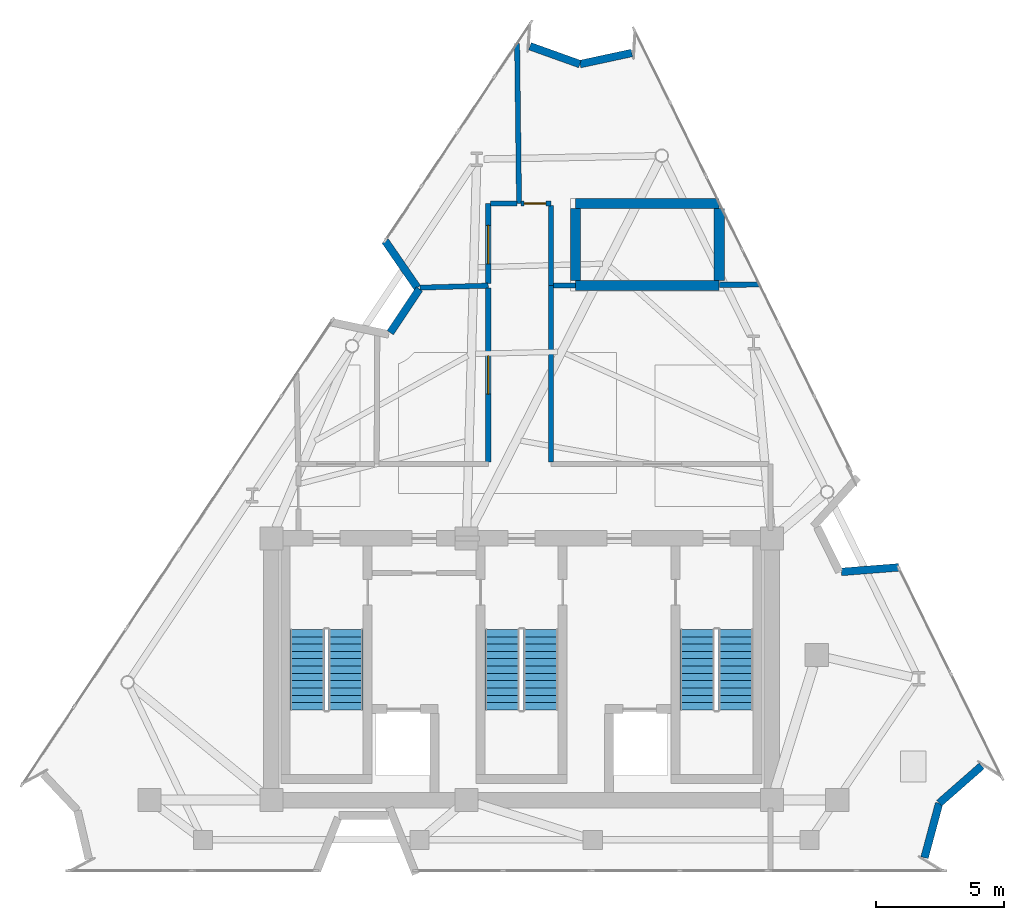
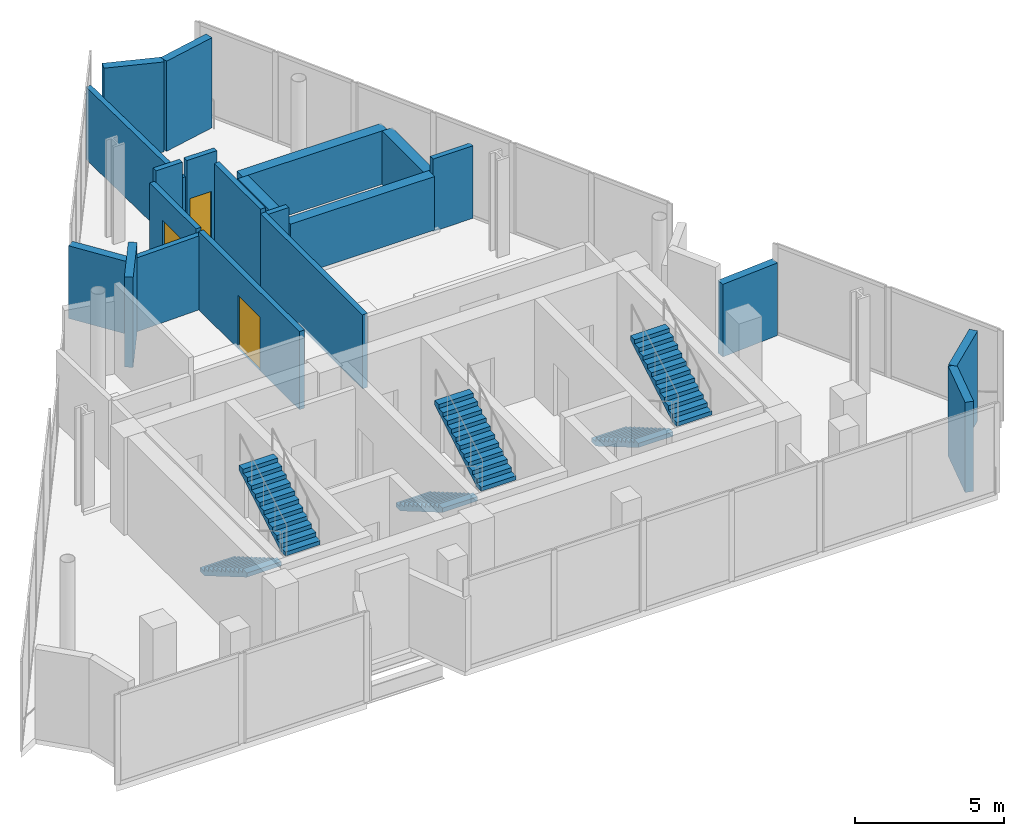
# One storey, part 7 of 9: 21 walls, 6 stair flights, 3 doors, 3 openings, 3 elements without a shape of their own.
"""IFC4 building model written with IfcOpenShell, lengths in metres."""

from ifc_helpers import new_model, si_unit, direction, frame, frame_2d, origin, place, context, subcontext, project, spatial, polyline, rectangle, outline, extrude, material, layer, layer_set, type_object, element, fill, aggregate, save


model = new_model("IFC4")

# Units and contexts
model_context = context("Model", 3, precision=1e-05, world=origin(), true_north=direction((0.0, 1.0)))
body_context = subcontext(model_context, "Body", "Model", "MODEL_VIEW")
ifc_project = project(units=[si_unit("LENGTHUNIT", "METRE"), si_unit("AREAUNIT", "SQUARE_METRE"), si_unit("VOLUMEUNIT", "CUBIC_METRE"), si_unit("PLANEANGLEUNIT", "RADIAN"), si_unit("MASSUNIT", "GRAM", prefix="KILO")], contexts=[model_context])

# Site, building, storey
site_placement = place(None, origin())
site = spatial("IfcSite", under=ifc_project, at=site_placement, CompositionType="ELEMENT")
building_placement = place(site_placement, origin())
building = spatial("IfcBuilding", under=site, at=building_placement, Name="Almagre Mirador Tower", CompositionType="ELEMENT")
storey_placement = place(building_placement, frame((0.0, 0.0, 310.5)))
storey = spatial("IfcBuildingStorey", under=building, at=storey_placement, Name="L80", CompositionType="ELEMENT", Elevation=310.5)

# Walls
ifc_material_1 = material(Name="Precast concrete C50/60", Category="concrete")
ifc_layer_1 = layer(ifc_material_1, 0.300048828125)
ifc_layer_set_1 = layer_set([ifc_layer_1], Name="Precast concrete C50/60")
wall_type_1 = type_object("IfcWallType", Name="WAL-EXT-300", PredefinedType="SOLIDWALL", material=ifc_layer_set_1)
wall_1_placement = place(storey_placement, frame((32.180419921875, 22.764892578125, 0.0), z_axis=(0.0, 0.0, 1.0), x_axis=(0.555442165544, 0.831555169989, 0.0)))
element("IfcWall", 1, at=wall_1_placement, inside=storey, type_object=wall_type_1, Name="L80 expressed almagre precast frame wall 02", PredefinedType="SOLIDWALL", context=body_context, shape_type="SweptSolid", body=[
    extrude(rectangle(XDim=2.049560546875, YDim=0.300048828125, at=frame_2d((1.02490234375, 0.0))), origin(), (0.0, 0.0, 1.0), 3.699951171875),
])
wall_2_placement = place(storey_placement, frame((33.23828125, 24.518798828125, 0.0), z_axis=(0.0, 0.0, 1.0), x_axis=(-0.567797426526, 0.823168319623, 0.0)))
element("IfcWall", 2, at=wall_2_placement, inside=storey, type_object=wall_type_1, Name="L80 expressed almagre precast frame wall 03", PredefinedType="SOLIDWALL", context=body_context, shape_type="SweptSolid", body=[
    extrude(rectangle(XDim=2.212158203125, YDim=0.300048828125, at=frame_2d((1.10595703125, 0.0))), origin(), (0.0, 0.0, 1.0), 2.98193359375),
])
wall_3_placement = place(storey_placement, frame((37.6240234375, 33.927490234375, 0.0), z_axis=(0.0, 0.0, 1.0), x_axis=(0.941672407687, -0.336530944493, 0.0)))
element("IfcWall", 3, at=wall_3_placement, inside=storey, type_object=wall_type_1, Name="L80 expressed almagre precast frame wall 04", PredefinedType="SOLIDWALL", context=body_context, shape_type="SweptSolid", body=[
    extrude(rectangle(XDim=2.06689453125, YDim=0.300048828125, at=frame_2d((1.033447265625, 0.0))), origin(), (0.0, 0.0, 1.0), 3.699951171875),
])
wall_4_placement = place(storey_placement, frame((39.57568359375, 33.231689453125, 0.0), z_axis=(0.0, 0.0, 1.0), x_axis=(0.977608338725, 0.210432735227, 0.0)))
element("IfcWall", 4, at=wall_4_placement, inside=storey, type_object=wall_type_1, Name="L80 expressed almagre precast frame wall 05", PredefinedType="SOLIDWALL", context=body_context, shape_type="SweptSolid", body=[
    extrude(rectangle(XDim=2.06640625, YDim=0.300048828125, at=frame_2d((1.033203125, 0.0))), origin(), (0.0, 0.0, 1.0), 3.699951171875),
])
wall_5_placement = place(storey_placement, frame((49.7626953125, 13.4443359375, 0.0), z_axis=(0.0, 0.0, 1.0), x_axis=(0.996894082253, 0.078753976215, 0.0)))
element("IfcWall", 5, at=wall_5_placement, inside=storey, type_object=wall_type_1, Name="L80 expressed almagre precast frame wall 08", PredefinedType="SOLIDWALL", context=body_context, shape_type="SweptSolid", body=[
    extrude(rectangle(XDim=2.23193359375, YDim=0.300048828125, at=frame_2d((1.115966796875, 0.0))), origin(), (0.0, 0.0, 1.0), 2.98193359375),
])
wall_6_placement = place(storey_placement, frame((55.227294921875, 5.884033203125, 0.0), z_axis=(0.0, 0.0, 1.0), x_axis=(-0.751785184768, -0.659408095161, 0.0)))
element("IfcWall", 6, at=wall_6_placement, inside=storey, type_object=wall_type_1, Name="L80 expressed almagre precast frame wall 09", PredefinedType="SOLIDWALL", context=body_context, shape_type="SweptSolid", body=[
    extrude(rectangle(XDim=2.198974609375, YDim=0.300048828125, at=frame_2d((1.099609375, 0.0))), origin(), (0.0, 0.0, 1.0), 3.699951171875),
])
wall_7_placement = place(storey_placement, frame((53.5712890625, 4.42919921875, 0.0), z_axis=(0.0, 0.0, 1.0), x_axis=(-0.259846037112, -0.965650059285, 0.0)))
element("IfcWall", 7, at=wall_7_placement, inside=storey, type_object=wall_type_1, Name="L80 expressed almagre precast frame wall 10", PredefinedType="SOLIDWALL", context=body_context, shape_type="SweptSolid", body=[
    extrude(rectangle(XDim=2.198486328125, YDim=0.300048828125, at=frame_2d((1.09912109375, 0.0))), origin(), (0.0, 0.0, 1.0), 3.699951171875),
])
ifc_material_2 = material(Name="Gypsum acoustic stud partition", Category="other")
ifc_layer_2 = layer(ifc_material_2, 0.199951171875)
ifc_layer_set_2 = layer_set([ifc_layer_2], Name="Gypsum acoustic stud partition")
wall_type_2 = type_object("IfcWallType", Name="WAL-PRT-200-EI60", PredefinedType="PARTITIONING", material=ifc_layer_set_2)
wall_8_placement = place(storey_placement, frame((33.339111328125, 24.52001953125, 0.0), z_axis=(0.0, 0.0, 1.0), x_axis=(0.999547467776, 0.03008088535, 0.0)))
element("IfcWall", 8, at=wall_8_placement, inside=storey, type_object=wall_type_2, Name="L80 interior partition 004", PredefinedType="PARTITIONING", context=body_context, shape_type="SweptSolid", body=[
    extrude(rectangle(XDim=2.662109375, YDim=0.199951171875, at=frame_2d((1.3310546875, 0.0))), origin(), (0.0, 0.0, 1.0), 3.034912109375),
])
wall_9_placement = place(storey_placement, frame((37.199951171875, 27.800048828125, 0.0), z_axis=(0.0, 0.0, 1.0), x_axis=(-0.012165120943, 0.999926002178, 0.0)))
element("IfcWall", 9, at=wall_9_placement, inside=storey, type_object=wall_type_2, Name="L80 interior partition 005", PredefinedType="PARTITIONING", context=body_context, shape_type="SweptSolid", body=[
    extrude(rectangle(XDim=6.241455078125, YDim=0.199951171875, at=frame_2d((3.12060546875, 0.0))), origin(), (0.0, 0.0, 1.0), 2.97705078125),
])

# Wall, opening, door
wall_10_placement = place(storey_placement, frame((36.0, 24.68505859375, 0.0), z_axis=(0.0, 0.0, 1.0), x_axis=(0.0, 1.0, 0.0)))
wall_10 = element("IfcWall", 10, at=wall_10_placement, inside=storey, type_object=wall_type_2, Name="L80 interior partition 006", PredefinedType="PARTITIONING", context=body_context, shape_type="SweptSolid", body=[
    extrude(rectangle(XDim=3.114990234375, YDim=0.199951171875, at=frame_2d((1.5576171875, 0.0))), origin(), (0.0, 0.0, 1.0), 3.2099609375),
])
opening_1_placement = place(wall_10_placement, frame((0.764892578125, 0.0, 0.0)))
opening_1 = element("IfcOpeningElement", 11, at=opening_1_placement, cuts=wall_10, Name="Opening ID-04", PredefinedType="OPENING", context=body_context, shape_type="SweptSolid", body=[
    extrude(rectangle(XDim=1.5, YDim=2.199951171875, at=frame_2d((0.75, 1.10009765625))), frame((0.0, 0.110098, 0.0), z_axis=(0.0, -1.0, 0.0), x_axis=(1.0, 0.0, 0.0)), (0.0, 0.0, 1.0), 0.219951),
])
ifc_material_3 = material(Name="Fire-rated hollow steel", Category="steel")
door_type_1 = type_object("IfcDoorType", Name="DOR-FD60-1500X2200", OperationType="DOUBLE_DOOR_SINGLE_SWING", PredefinedType="DOOR", material=ifc_material_3)
door_1_placement = place(opening_1_placement, origin())
door_1 = element("IfcDoor", 12, at=door_1_placement, inside=storey, type_object=door_type_1, Name="DR-2345 L80 interior door L80-KTLD to L80-KCOR", OperationType="DOUBLE_DOOR_SINGLE_SWING", OverallHeight=2.199951171875, OverallWidth=1.5, PredefinedType="DOOR", context=body_context, shape_type="SweptSolid", body=[
    extrude(rectangle(XDim=1.5, YDim=2.199951171875, at=frame_2d((0.75, 1.10009765625))), frame((0.0, 0.02490234375, 0.0), z_axis=(0.0, -1.0, 0.0), x_axis=(1.0, 0.0, 0.0)), (0.0, 0.0, 1.0), 0.050048828125),
])
fill(opening_1, door_1)

# Wall
wall_11_placement = place(storey_placement, frame((36.0849609375, 27.800048828125, 0.0), z_axis=(0.0, 0.0, 1.0), x_axis=(1.0, 0.0, 0.0)))
element("IfcWall", 13, at=wall_11_placement, inside=storey, type_object=wall_type_2, Name="L80 interior partition 007", PredefinedType="PARTITIONING", context=body_context, shape_type="SweptSolid", body=[
    extrude(rectangle(XDim=1.030029296875, YDim=0.199951171875, at=frame_2d((0.51513671875, 0.0))), origin(), (0.0, 0.0, 1.0), 3.699951171875),
])

# Wall, opening, door
wall_12_placement = place(storey_placement, frame((36.0, 17.735107421875, 0.0), z_axis=(0.0, 0.0, 1.0), x_axis=(0.0, 1.0, 0.0)))
wall_12 = element("IfcWall", 14, at=wall_12_placement, inside=storey, type_object=wall_type_2, Name="L80 interior partition 009", PredefinedType="PARTITIONING", context=body_context, shape_type="SweptSolid", body=[
    extrude(rectangle(XDim=6.77978515625, YDim=0.199951171875, at=frame_2d((3.389892578125, 0.0))), origin(), (0.0, 0.0, 1.0), 3.2099609375),
])
opening_2_placement = place(wall_12_placement, frame((2.639892578125, 0.0, 0.0)))
opening_2 = element("IfcOpeningElement", 15, at=opening_2_placement, cuts=wall_12, Name="Opening ID-04", PredefinedType="OPENING", context=body_context, shape_type="SweptSolid", body=[
    extrude(rectangle(XDim=1.5, YDim=2.199951171875, at=frame_2d((0.75, 1.10009765625))), frame((0.0, 0.110098, 0.0), z_axis=(0.0, -1.0, 0.0), x_axis=(1.0, 0.0, 0.0)), (0.0, 0.0, 1.0), 0.219951),
])
door_2_placement = place(opening_2_placement, origin())
door_2 = element("IfcDoor", 16, at=door_2_placement, inside=storey, type_object=door_type_1, Name="DR-2342 L80 interior door L80-KPLT2 to L80-KCOR", OperationType="DOUBLE_DOOR_SINGLE_SWING", OverallHeight=2.199951171875, OverallWidth=1.5, PredefinedType="DOOR", context=body_context, shape_type="SweptSolid", body=[
    extrude(rectangle(XDim=1.5, YDim=2.199951171875, at=frame_2d((0.75, 1.10009765625))), frame((0.0, 0.02490234375, 0.0), z_axis=(0.0, -1.0, 0.0), x_axis=(1.0, 0.0, 0.0)), (0.0, 0.0, 1.0), 0.050048828125),
])
fill(opening_2, door_2)

wall_13_placement = place(storey_placement, frame((37.284912109375, 27.800048828125, 0.0), z_axis=(0.0, 0.0, 1.0), x_axis=(1.0, 0.0, 0.0)))
wall_13 = element("IfcWall", 17, at=wall_13_placement, inside=storey, type_object=wall_type_2, Name="L80 interior partition 012", PredefinedType="PARTITIONING", context=body_context, shape_type="SweptSolid", body=[
    extrude(rectangle(XDim=1.1650390625, YDim=0.199951171875, at=frame_2d((0.58251953125, 0.0))), origin(), (0.0, 0.0, 1.0), 3.699951171875),
])
opening_3_placement = place(wall_13_placement, frame((0.114990234375, 0.0, 0.0)))
opening_3 = element("IfcOpeningElement", 18, at=opening_3_placement, cuts=wall_13, Name="Opening ID-06", PredefinedType="OPENING", context=body_context, shape_type="SweptSolid", body=[
    extrude(rectangle(XDim=0.85009765625, YDim=2.10009765625, at=frame_2d((0.425048828125, 1.050048828125))), frame((0.0, 0.110098, 0.0), z_axis=(0.0, -1.0, 0.0), x_axis=(1.0, 0.0, 0.0)), (0.0, 0.0, 1.0), 0.219951),
])
ifc_material_4 = material(Name="Fire-rated hollow steel", Category="steel")
door_type_2 = type_object("IfcDoorType", Name="DOR-FD60-850X2100", OperationType="NOTDEFINED", PredefinedType="DOOR", material=ifc_material_4)
door_3_placement = place(opening_3_placement, origin())
door_3 = element("IfcDoor", 19, at=door_3_placement, inside=storey, type_object=door_type_2, Name="DR-2346 L80 interior door L80-KTLD-2 to L80-KCOR", OperationType="SINGLE_SWING_LEFT", OverallHeight=2.10009765625, OverallWidth=0.85009765625, PredefinedType="DOOR", context=body_context, shape_type="SweptSolid", body=[
    extrude(rectangle(XDim=0.85009765625, YDim=2.10009765625, at=frame_2d((0.425048828125, 1.050048828125))), frame((0.0, 0.02490234375, 0.0), z_axis=(0.0, -1.0, 0.0), x_axis=(1.0, 0.0, 0.0)), (0.0, 0.0, 1.0), 0.050048828125),
])
fill(opening_3, door_3)

# Walls
wall_14_placement = place(storey_placement, frame((38.449951171875, 27.715087890625, 0.0), z_axis=(0.0, 0.0, 1.0), x_axis=(0.0, -1.0, 0.0)))
element("IfcWall", 20, at=wall_14_placement, inside=storey, type_object=wall_type_2, Name="L80 interior partition 013", PredefinedType="PARTITIONING", context=body_context, shape_type="SweptSolid", body=[
    extrude(rectangle(XDim=3.114990234375, YDim=0.199951171875, at=frame_2d((1.5576171875, 0.0))), origin(), (0.0, 0.0, 1.0), 3.2099609375),
])
wall_15_placement = place(storey_placement, frame((38.534912109375, 24.600341796875, 0.0), z_axis=(0.0, 0.0, 1.0), x_axis=(0.999985621104, 0.005362609879, 0.0)))
element("IfcWall", 21, at=wall_15_placement, inside=storey, type_object=wall_type_2, Name="L80 interior partition 014", PredefinedType="PARTITIONING", context=body_context, shape_type="SweptSolid", body=[
    extrude(rectangle(XDim=0.864990234375, YDim=0.199951171875, at=frame_2d((0.4326171875, 0.0))), origin(), (0.0, 0.0, 1.0), 2.97705078125),
])
wall_16_placement = place(storey_placement, frame((38.449951171875, 17.735107421875, 0.0), z_axis=(0.0, 0.0, 1.0), x_axis=(0.0, 1.0, 0.0)))
element("IfcWall", 22, at=wall_16_placement, inside=storey, type_object=wall_type_2, Name="L80 interior partition 018", PredefinedType="PARTITIONING", context=body_context, shape_type="SweptSolid", body=[
    extrude(rectangle(XDim=6.864990234375, YDim=0.199951171875, at=frame_2d((3.4326171875, 0.0))), origin(), (0.0, 0.0, 1.0), 3.034912109375),
])
wall_17_placement = place(storey_placement, frame((45.01611328125, 24.631103515625, 0.0), z_axis=(0.0, 0.0, 1.0), x_axis=(0.999987346493, 0.005030591902, 0.0)))
element("IfcWall", 23, at=wall_17_placement, inside=storey, type_object=wall_type_2, Name="L80 interior partition 019", PredefinedType="PARTITIONING", context=body_context, shape_type="SweptSolid", body=[
    extrude(rectangle(XDim=1.552978515625, YDim=0.199951171875, at=frame_2d((0.7763671875, 0.0))), origin(), (0.0, 0.0, 1.0), 2.97705078125),
])
ifc_material_5 = material(Name="Concrete C50/60", Category="concrete")
ifc_layer_3 = layer(ifc_material_5, 0.39990234375)
ifc_layer_set_3 = layer_set([ifc_layer_3], Name="Concrete C50/60")
wall_type_3 = type_object("IfcWallType", Name="WAL-TLD-400", PredefinedType="SHEAR", material=ifc_layer_set_3)
for number, where, z_axis, x_axis, name in (
    (24, (39.39990234375, 24.60009765625, 0.14990234375), (0.0, 0.0, 1.0), (1.0, 0.0, 0.0), "L80 Crown Tuned Liquid Damper Tank Wall S"),
    (25, (39.39990234375, 27.800048828125, 0.14990234375), (0.0, 0.0, 1.0), (1.0, 0.0, 0.0), "L80 Crown Tuned Liquid Damper Tank Wall N"),
):
    element("IfcWall", number, at=place(storey_placement, frame(where, z_axis=z_axis, x_axis=x_axis)), inside=storey, type_object=wall_type_3, Name=name, PredefinedType="SHEAR", context=body_context, shape_type="SweptSolid", body=[
        extrude(rectangle(XDim=5.60009765625, YDim=0.39990234375, at=frame_2d((2.800048828125, 0.0))), origin(), (0.0, 0.0, 1.0), 2.2001953125),
    ])
for number, where, z_axis, x_axis, name in (
    (26, (39.39990234375, 24.800048828125, 0.14990234375), (0.0, 0.0, 1.0), (0.0, 1.0, 0.0), "L80 Crown Tuned Liquid Damper Tank Wall W"),
    (27, (45.0, 24.800048828125, 0.14990234375), (0.0, 0.0, 1.0), (0.0, 1.0, 0.0), "L80 Crown Tuned Liquid Damper Tank Wall E"),
):
    element("IfcWall", number, at=place(storey_placement, frame(where, z_axis=z_axis, x_axis=x_axis)), inside=storey, type_object=wall_type_3, Name=name, PredefinedType="SHEAR", context=body_context, shape_type="SweptSolid", body=[
        extrude(rectangle(XDim=2.800048828125, YDim=0.39990234375, at=frame_2d((1.39990234375, 0.0))), origin(), (0.0, 0.0, 1.0), 2.2001953125),
    ])

# Stair, stair flights
ifc_material_6 = material(Name="Concrete C45/55", Category="concrete")
stair_type = type_object("IfcStairType", Name="STR-DL-4000", PredefinedType="HALF_TURN_STAIR", material=ifc_material_6)
stair_1_placement = place(storey_placement, origin())
stair_1 = element("IfcStair", 28, at=stair_1_placement, inside=storey, type_object=stair_type, Name="L80 Protected exit stair ST-1", PredefinedType="HALF_TURN_STAIR")
ifc_material_7 = material(Name="Concrete C45/55", Category="concrete")
stair_flight_type = type_object("IfcStairFlightType", Name="FLT-DL-4000", PredefinedType="STRAIGHT", material=ifc_material_7)
stair_flight_1_placement = place(storey_placement, frame((28.949951171875, 11.199951171875, 0.0), z_axis=(0.0, 0.0, 1.0), x_axis=(0.0, -1.0, 0.0)))
stair_flight_1 = element("IfcStairFlight", 29, at=stair_flight_1_placement, type_object=stair_flight_type, Name="ST-1 flight 1", NumberOfRisers=12, NumberOfTreads=11, PredefinedType="STRAIGHT", RiserHeight=0.166666667, TreadLength=0.285, context=body_context, shape_type="SweptSolid", body=[
    extrude(outline(polyline([(0.0, 0.0), (0.0, 0.166748046875), (0.284912109375, 0.166748046875), (0.284912109375, 0.333251953125), (0.570068359375, 0.333251953125), (0.570068359375, 0.5), (0.85498046875, 0.5), (0.85498046875, 0.666748046875), (1.139892578125, 0.666748046875), (1.139892578125, 0.833251953125), (1.425048828125, 0.833251953125), (1.425048828125, 1.0), (1.7099609375, 1.0), (1.7099609375, 1.166748046875), (1.9951171875, 1.166748046875), (1.9951171875, 1.333251953125), (2.280029296875, 1.333251953125), (2.280029296875, 1.5), (2.56494140625, 1.5), (2.56494140625, 1.666748046875), (2.85009765625, 1.666748046875), (2.85009765625, 1.833251953125), (3.135009765625, 1.833251953125), (3.135009765625, 2.0), (3.135009765625, 1.65966796875), (0.296875, 0.0), (0.0, 0.0)])), frame((0.0, 0.675048828125, 0.0), z_axis=(0.0, -1.0, 0.0), x_axis=(1.0, 0.0, 0.0)), (0.0, 0.0, 1.0), 1.35009765625),
])
stair_flight_2_placement = place(storey_placement, frame((30.449951171875, 8.06494140625, 2.0), z_axis=(0.0, 0.0, 1.0), x_axis=(0.0, 1.0, 0.0)))
stair_flight_2 = element("IfcStairFlight", 30, at=stair_flight_2_placement, type_object=stair_flight_type, Name="ST-1 flight 2", NumberOfRisers=12, NumberOfTreads=11, PredefinedType="STRAIGHT", RiserHeight=0.166666667, TreadLength=0.285, context=body_context, shape_type="SweptSolid", body=[
    extrude(outline(polyline([(0.0, 0.0), (0.0, 0.166748046875), (0.284912109375, 0.166748046875), (0.284912109375, 0.333251953125), (0.570068359375, 0.333251953125), (0.570068359375, 0.5), (0.85498046875, 0.5), (0.85498046875, 0.666748046875), (1.139892578125, 0.666748046875), (1.139892578125, 0.833251953125), (1.425048828125, 0.833251953125), (1.425048828125, 1.0), (1.7099609375, 1.0), (1.7099609375, 1.166748046875), (1.9951171875, 1.166748046875), (1.9951171875, 1.333251953125), (2.280029296875, 1.333251953125), (2.280029296875, 1.5), (2.56494140625, 1.5), (2.56494140625, 1.666748046875), (2.85009765625, 1.666748046875), (2.85009765625, 1.833251953125), (3.135009765625, 1.833251953125), (3.135009765625, 2.0), (3.135009765625, 1.65966796875), (0.296875, 0.0), (0.0, 0.0)])), frame((0.0, 0.675048828125, 0.0), z_axis=(0.0, -1.0, 0.0), x_axis=(1.0, 0.0, 0.0)), (0.0, 0.0, 1.0), 1.35009765625),
])
aggregate(stair_1, [stair_flight_1, stair_flight_2])

stair_2_placement = place(storey_placement, origin())
stair_2 = element("IfcStair", 31, at=stair_2_placement, inside=storey, type_object=stair_type, Name="L80 Protected exit stair ST-2", PredefinedType="HALF_TURN_STAIR")
stair_flight_3_placement = place(storey_placement, frame((36.550048828125, 11.199951171875, 0.0), z_axis=(0.0, 0.0, 1.0), x_axis=(0.0, -1.0, 0.0)))
stair_flight_3 = element("IfcStairFlight", 32, at=stair_flight_3_placement, type_object=stair_flight_type, Name="ST-2 flight 1", NumberOfRisers=12, NumberOfTreads=11, PredefinedType="STRAIGHT", RiserHeight=0.166666667, TreadLength=0.285, context=body_context, shape_type="SweptSolid", body=[
    extrude(outline(polyline([(0.0, 0.0), (0.0, 0.166748046875), (0.284912109375, 0.166748046875), (0.284912109375, 0.333251953125), (0.570068359375, 0.333251953125), (0.570068359375, 0.5), (0.85498046875, 0.5), (0.85498046875, 0.666748046875), (1.139892578125, 0.666748046875), (1.139892578125, 0.833251953125), (1.425048828125, 0.833251953125), (1.425048828125, 1.0), (1.7099609375, 1.0), (1.7099609375, 1.166748046875), (1.9951171875, 1.166748046875), (1.9951171875, 1.333251953125), (2.280029296875, 1.333251953125), (2.280029296875, 1.5), (2.56494140625, 1.5), (2.56494140625, 1.666748046875), (2.85009765625, 1.666748046875), (2.85009765625, 1.833251953125), (3.135009765625, 1.833251953125), (3.135009765625, 2.0), (3.135009765625, 1.65966796875), (0.296875, 0.0), (0.0, 0.0)])), frame((0.0, 0.675048828125, 0.0), z_axis=(0.0, -1.0, 0.0), x_axis=(1.0, 0.0, 0.0)), (0.0, 0.0, 1.0), 1.35009765625),
])
stair_flight_4_placement = place(storey_placement, frame((38.050048828125, 8.06494140625, 2.0), z_axis=(0.0, 0.0, 1.0), x_axis=(0.0, 1.0, 0.0)))
stair_flight_4 = element("IfcStairFlight", 33, at=stair_flight_4_placement, type_object=stair_flight_type, Name="ST-2 flight 2", NumberOfRisers=12, NumberOfTreads=11, PredefinedType="STRAIGHT", RiserHeight=0.166666667, TreadLength=0.285, context=body_context, shape_type="SweptSolid", body=[
    extrude(outline(polyline([(0.0, 0.0), (0.0, 0.166748046875), (0.284912109375, 0.166748046875), (0.284912109375, 0.333251953125), (0.570068359375, 0.333251953125), (0.570068359375, 0.5), (0.85498046875, 0.5), (0.85498046875, 0.666748046875), (1.139892578125, 0.666748046875), (1.139892578125, 0.833251953125), (1.425048828125, 0.833251953125), (1.425048828125, 1.0), (1.7099609375, 1.0), (1.7099609375, 1.166748046875), (1.9951171875, 1.166748046875), (1.9951171875, 1.333251953125), (2.280029296875, 1.333251953125), (2.280029296875, 1.5), (2.56494140625, 1.5), (2.56494140625, 1.666748046875), (2.85009765625, 1.666748046875), (2.85009765625, 1.833251953125), (3.135009765625, 1.833251953125), (3.135009765625, 2.0), (3.135009765625, 1.65966796875), (0.296875, 0.0), (0.0, 0.0)])), frame((0.0, 0.675048828125, 0.0), z_axis=(0.0, -1.0, 0.0), x_axis=(1.0, 0.0, 0.0)), (0.0, 0.0, 1.0), 1.35009765625),
])
aggregate(stair_2, [stair_flight_3, stair_flight_4])

stair_3_placement = place(storey_placement, origin())
stair_3 = element("IfcStair", 34, at=stair_3_placement, inside=storey, type_object=stair_type, Name="L80 Protected exit stair ST-3", PredefinedType="HALF_TURN_STAIR")
stair_flight_5_placement = place(storey_placement, frame((44.14990234375, 11.199951171875, 0.0), z_axis=(0.0, 0.0, 1.0), x_axis=(0.0, -1.0, 0.0)))
stair_flight_5 = element("IfcStairFlight", 35, at=stair_flight_5_placement, type_object=stair_flight_type, Name="ST-3 flight 1", NumberOfRisers=12, NumberOfTreads=11, PredefinedType="STRAIGHT", RiserHeight=0.166666667, TreadLength=0.285, context=body_context, shape_type="SweptSolid", body=[
    extrude(outline(polyline([(0.0, 0.0), (0.0, 0.166748046875), (0.284912109375, 0.166748046875), (0.284912109375, 0.333251953125), (0.570068359375, 0.333251953125), (0.570068359375, 0.5), (0.85498046875, 0.5), (0.85498046875, 0.666748046875), (1.139892578125, 0.666748046875), (1.139892578125, 0.833251953125), (1.425048828125, 0.833251953125), (1.425048828125, 1.0), (1.7099609375, 1.0), (1.7099609375, 1.166748046875), (1.9951171875, 1.166748046875), (1.9951171875, 1.333251953125), (2.280029296875, 1.333251953125), (2.280029296875, 1.5), (2.56494140625, 1.5), (2.56494140625, 1.666748046875), (2.85009765625, 1.666748046875), (2.85009765625, 1.833251953125), (3.135009765625, 1.833251953125), (3.135009765625, 2.0), (3.135009765625, 1.65966796875), (0.296875, 0.0), (0.0, 0.0)])), frame((0.0, 0.675048828125, 0.0), z_axis=(0.0, -1.0, 0.0), x_axis=(1.0, 0.0, 0.0)), (0.0, 0.0, 1.0), 1.35009765625),
])
stair_flight_6_placement = place(storey_placement, frame((45.64990234375, 8.06494140625, 2.0), z_axis=(0.0, 0.0, 1.0), x_axis=(0.0, 1.0, 0.0)))
stair_flight_6 = element("IfcStairFlight", 36, at=stair_flight_6_placement, type_object=stair_flight_type, Name="ST-3 flight 2", NumberOfRisers=12, NumberOfTreads=11, PredefinedType="STRAIGHT", RiserHeight=0.166666667, TreadLength=0.285, context=body_context, shape_type="SweptSolid", body=[
    extrude(outline(polyline([(0.0, 0.0), (0.0, 0.166748046875), (0.284912109375, 0.166748046875), (0.284912109375, 0.333251953125), (0.570068359375, 0.333251953125), (0.570068359375, 0.5), (0.85498046875, 0.5), (0.85498046875, 0.666748046875), (1.139892578125, 0.666748046875), (1.139892578125, 0.833251953125), (1.425048828125, 0.833251953125), (1.425048828125, 1.0), (1.7099609375, 1.0), (1.7099609375, 1.166748046875), (1.9951171875, 1.166748046875), (1.9951171875, 1.333251953125), (2.280029296875, 1.333251953125), (2.280029296875, 1.5), (2.56494140625, 1.5), (2.56494140625, 1.666748046875), (2.85009765625, 1.666748046875), (2.85009765625, 1.833251953125), (3.135009765625, 1.833251953125), (3.135009765625, 2.0), (3.135009765625, 1.65966796875), (0.296875, 0.0), (0.0, 0.0)])), frame((0.0, 0.675048828125, 0.0), z_axis=(0.0, -1.0, 0.0), x_axis=(1.0, 0.0, 0.0)), (0.0, 0.0, 1.0), 1.35009765625),
])
aggregate(stair_3, [stair_flight_5, stair_flight_6])

save(model, "model.ifc")
